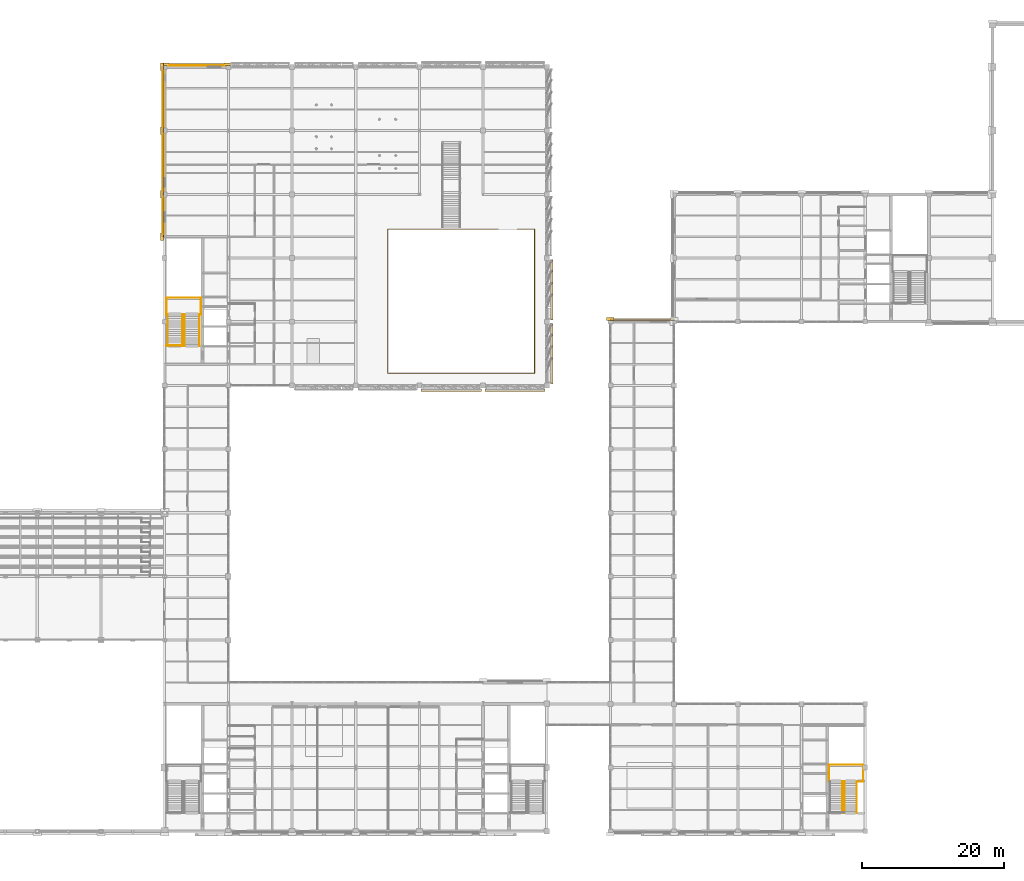
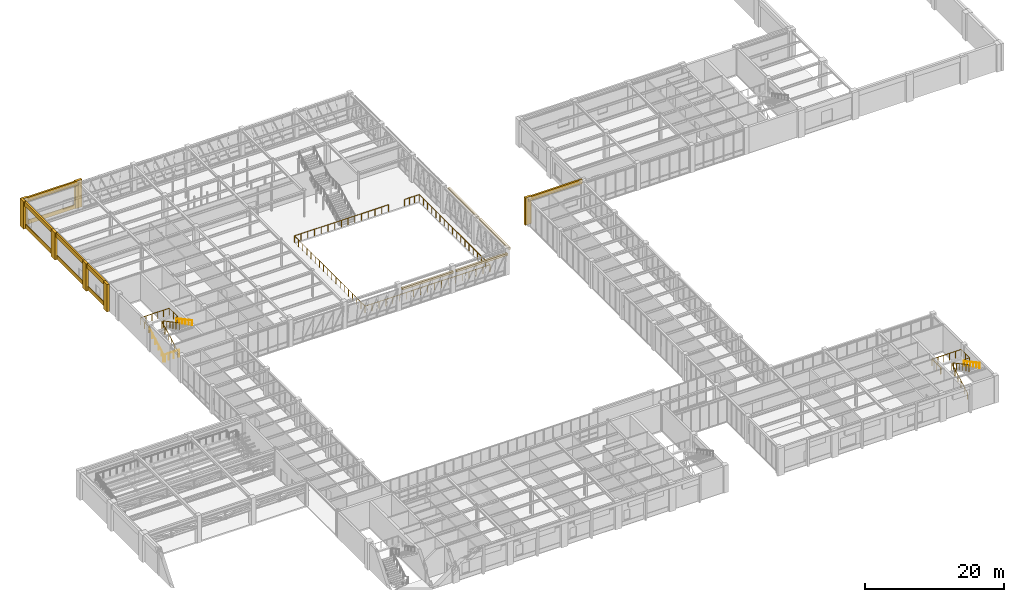
# One storey, part 90 of 92: 20 coverings, 9 railings.
"""IFC4 building model written with IfcOpenShell, lengths in metres."""

import ifcopenshell
import ifcopenshell.guid

model = None  # the IFC model being written
_history = None  # IfcOwnerHistory: only IFC2X3 demands one
_inside = {}  # id of a spatial element -> (the spatial element, [elements in it])
_under = {}  # id of a project, library or spatial element -> (it, [spatial elements below it])
_declared = {}  # id of a project -> (the project, [libraries it declares])
_typed = {}  # id of a type object -> (the type object, [elements of that type])
_made_of = {}  # id of a material, layer set ... -> (it, [elements and type objects made of it])


def new_model(schema):
    """Start an empty IFC model of exactly this schema.

    Asked for "IFC4X3", IfcOpenShell would pick the latest addendum, in which some entities
    have other attributes; the version numbers below select the first issue.
    IFC2X3 requires an IfcOwnerHistory on every rooted entity: one is made here for all.
    """
    global model, _history
    if schema == "IFC4X3":
        model = ifcopenshell.file(schema_version=(4, 3, 0, 0))
    else:
        model = ifcopenshell.file(schema=schema)
    _inside.clear()
    _under.clear()
    _declared.clear()
    _typed.clear()
    _made_of.clear()
    _history = None
    if model.schema == "IFC2X3":
        org = make("IfcOrganization", Name="unknown")
        user = make(
            "IfcPersonAndOrganization",
            ThePerson=make("IfcPerson", FamilyName="unknown"),
            TheOrganization=org,
        )
        app = make(
            "IfcApplication",
            ApplicationDeveloper=org,
            Version="unknown",
            ApplicationFullName="unknown",
            ApplicationIdentifier="unknown",
        )
        _history = make(
            "IfcOwnerHistory",
            OwningUser=user,
            OwningApplication=app,
            ChangeAction="ADDED",
            CreationDate=0,
        )
    return model


def make(cls, **values):
    """One entity of the class cls with the attributes given. An attribute that is None is left unset."""
    return model.create_entity(
        cls, **{name: value for name, value in values.items() if value is not None}
    )


def rooted(cls, **values):
    """An entity with a GlobalId (a new one), such as an element, a storey or a relation."""
    return make(cls, GlobalId=ifcopenshell.guid.new(), OwnerHistory=_history, **values)


def si_unit(unit_type, name, prefix=None):
    """IfcSIUnit, for example si_unit("LENGTHUNIT", "METRE", prefix="MILLI")."""
    return make("IfcSIUnit", UnitType=unit_type, Prefix=prefix, Name=name)


def assignment(units):
    """IfcUnitAssignment: the units of a project."""
    return None if units is None else make("IfcUnitAssignment", Units=units)


def point(xyz):
    """IfcCartesianPoint."""
    return None if xyz is None else make("IfcCartesianPoint", Coordinates=xyz)


def direction(xyz):
    """IfcDirection."""
    return None if xyz is None else make("IfcDirection", DirectionRatios=xyz)


def frame(location, z_axis=None, x_axis=None):
    """IfcAxis2Placement3D, a coordinate frame: its origin and axes. An axis left out is left unset."""
    return make(
        "IfcAxis2Placement3D",
        Location=point(location),
        Axis=direction(z_axis),
        RefDirection=direction(x_axis),
    )


def frame_2d(location, x_axis=None):
    """IfcAxis2Placement2D, a coordinate frame in the plane: its origin and x axis."""
    return make(
        "IfcAxis2Placement2D", Location=point(location), RefDirection=direction(x_axis)
    )


def origin():
    """The frame at (0, 0, 0) with its axes left unset."""
    return frame((0.0, 0.0, 0.0))


def origin_2d():
    """The frame at (0, 0) in the plane with its x axis left unset."""
    return frame_2d((0.0, 0.0))


def place(relative_to, where):
    """IfcLocalPlacement: puts the frame where relative to a parent placement (None: the world)."""
    return make(
        "IfcLocalPlacement", PlacementRelTo=relative_to, RelativePlacement=where
    )


def context(
    kind, dimensions, precision=None, world=None, true_north=None, identifier=None
):
    """IfcGeometricRepresentationContext, for example the 3D "Model" context."""
    return make(
        "IfcGeometricRepresentationContext",
        ContextIdentifier=identifier,
        ContextType=kind,
        CoordinateSpaceDimension=dimensions,
        Precision=precision,
        WorldCoordinateSystem=world,
        TrueNorth=true_north,
    )


def subcontext(parent, identifier, kind, view, scale=None):
    """IfcGeometricRepresentationSubContext, for example "Body" below "Model"."""
    return make(
        "IfcGeometricRepresentationSubContext",
        ContextIdentifier=identifier,
        ContextType=kind,
        ParentContext=parent,
        TargetScale=scale,
        TargetView=view,
    )


def project(units=None, contexts=None):
    """IfcProject with its units and contexts."""
    return rooted(
        "IfcProject",
        Name="project",
        RepresentationContexts=contexts,
        UnitsInContext=assignment(units),
    )


def spatial(cls, under=None, at=None, **own):
    """A site, building, storey or space (cls), placed at a placement, below another one or the project."""
    s = rooted(cls, ObjectPlacement=at, **own)
    if under is not None:
        _under.setdefault(under.id(), (under, []))[1].append(s)
    return s


def profile(cls, at=None, kind="AREA", **sizes):
    """A parametric profile (cls). Its sizes go by their IFC names, for example OverallWidth=200.0."""
    return make(cls, ProfileType=kind, Position=at, **sizes)


def rectangle(**sizes):
    """IfcRectangleProfileDef."""
    return profile("IfcRectangleProfileDef", **sizes)


def circle(**sizes):
    """IfcCircleProfileDef."""
    return profile("IfcCircleProfileDef", **sizes)


def extrude(swept, where, along, depth):
    """IfcExtrudedAreaSolid: the profile swept, set in the frame where, extruded along a direction by depth."""
    return make(
        "IfcExtrudedAreaSolid",
        SweptArea=swept,
        Position=where,
        ExtrudedDirection=direction(along),
        Depth=depth,
    )


def shape(context_of_items, identifier, shape_type, items):
    """IfcShapeRepresentation: the items that make up one representation, for example the "Body"."""
    return make(
        "IfcShapeRepresentation",
        ContextOfItems=context_of_items,
        RepresentationIdentifier=identifier,
        RepresentationType=shape_type,
        Items=items,
    )


def material(Name=None, Category=None):
    """IfcMaterial."""
    return make("IfcMaterial", Name=Name, Category=Category)


def layer(
    of_material, thickness, ventilated=None, Name=None, Category=None, Priority=None
):
    """IfcMaterialLayer: one layer of a wall or slab, of a material (None: an air gap)."""
    return make(
        "IfcMaterialLayer",
        Material=of_material,
        LayerThickness=thickness,
        IsVentilated=ventilated,
        Name=Name,
        Category=Category,
        Priority=Priority,
    )


def layer_set(layers, Name=None):
    """IfcMaterialLayerSet."""
    return make("IfcMaterialLayerSet", MaterialLayers=layers, LayerSetName=Name)


def made_of(thing, what):
    """Note that an element or type object is made of a material, layer set ...; save() writes the relation."""
    if what is not None:
        _made_of.setdefault(what.id(), (what, []))[1].append(thing)
    return thing


def type_object(cls, material=None, **own):
    """A type object (cls), such as IfcWallType, which elements share."""
    return made_of(rooted(cls, **own), material)


def element(
    cls,
    number,
    at=None,
    inside=None,
    cuts=None,
    type_object=None,
    material=None,
    context=None,
    identifier="Body",
    shape_type=None,
    held_by="IfcProductDefinitionShape",
    body=None,
    shapes=None,
    **own,
):
    """One element of the class cls, such as IfcWall. Its Tag is "e" and its number.

    at: its placement. inside: the storey or other place that contains it. cuts: it is an
    opening in that element (IfcRelVoidsElement). A single representation is given by context,
    identifier, shape_type and body (its items); several are given by shapes. held_by: the class
    of the entity that holds the representations. save() writes the other relations.
    """
    e = rooted(cls, Tag="e%d" % number, ObjectPlacement=at, **own)
    if body is not None:
        shapes = [shape(context, identifier, shape_type, body)]
    if shapes is not None:
        e.Representation = make(held_by, Representations=shapes)
    if inside is not None:
        _inside.setdefault(inside.id(), (inside, []))[1].append(e)
    if cuts is not None:
        rooted(
            "IfcRelVoidsElement", RelatingBuildingElement=cuts, RelatedOpeningElement=e
        )
    if type_object is not None:
        _typed.setdefault(type_object.id(), (type_object, []))[1].append(e)
    return made_of(e, material)


def aggregate(whole, parts):
    """IfcRelAggregates: a whole, such as a stair, and the parts it consists of."""
    return rooted("IfcRelAggregates", RelatingObject=whole, RelatedObjects=parts)


def save(model, path):
    """Write the relations noted so far, then the file.

    IfcRelAggregates (storeys below a building ...), IfcRelContainedInSpatialStructure (elements
    in a storey), IfcRelDefinesByType, IfcRelAssociatesMaterial and IfcRelDeclares: one each for
    every whole, place, type object, material and project.
    """
    for whole, parts in _under.values():
        aggregate(whole, parts)
    for where, things in _inside.values():
        rooted(
            "IfcRelContainedInSpatialStructure",
            RelatedElements=things,
            RelatingStructure=where,
        )
    for kind, things in _typed.values():
        rooted("IfcRelDefinesByType", RelatedObjects=things, RelatingType=kind)
    for what, things in _made_of.values():
        rooted("IfcRelAssociatesMaterial", RelatedObjects=things, RelatingMaterial=what)
    for by, libraries in _declared.values():
        rooted("IfcRelDeclares", RelatingContext=by, RelatedDefinitions=libraries)
    model.write(path)


model = new_model("IFC4")

# Units and contexts
model_context = context("Model", 3, precision=1e-05, world=origin(), true_north=direction((0.0, 1.0)))
body_context = subcontext(model_context, "Body", "Model", "MODEL_VIEW")
ifc_project = project(units=[si_unit("LENGTHUNIT", "METRE"), si_unit("AREAUNIT", "SQUARE_METRE"), si_unit("VOLUMEUNIT", "CUBIC_METRE"), si_unit("PLANEANGLEUNIT", "RADIAN"), si_unit("MASSUNIT", "GRAM", prefix="KILO")], contexts=[model_context])

# Site, building, storey
site_placement = place(None, origin())
site = spatial("IfcSite", under=ifc_project, at=site_placement, CompositionType="ELEMENT")
building_placement = place(site_placement, origin())
building = spatial("IfcBuilding", under=site, at=building_placement, Name="Lykobir Media Centre", CompositionType="ELEMENT")
storey_placement = place(building_placement, frame((0.0, 0.0, 5.39990234375)))
storey = spatial("IfcBuildingStorey", under=building, at=storey_placement, Name="L01", CompositionType="ELEMENT", Elevation=5.39990234375)

# Coverings
ifc_material_1 = material(Name="Honed Travertine Stone", Category="masonry")
ifc_layer = layer(ifc_material_1, 0.050048828125, Name="Honed Travertine Stone")
ifc_layer_set = layer_set([ifc_layer], Name="Honed Travertine Stone")
covering_type = type_object("IfcCoveringType", Name="CLD-TRAV", PredefinedType="CLADDING", material=ifc_layer_set)
covering_1_placement = place(storey_placement, frame((90.0, 72.3798828125, 0.0), z_axis=(0.0, 0.0, 1.0), x_axis=(-1.0, 0.0, 0.0)))
element("IfcCovering", 1, at=covering_1_placement, inside=storey, type_object=covering_type, Name="Travertine column pier 214", PredefinedType="CLADDING", context=body_context, shape_type="SweptSolid", body=[
    extrude(rectangle(XDim=1.06005859375, YDim=0.39990234375, at=origin_2d()), origin(), (0.0, 0.0, 1.0), 4.800048828125),
])
covering_2_placement = place(storey_placement, frame((94.5, 72.300048828125, 4.0400390625), z_axis=(0.0, 0.0, 1.0), x_axis=(-1.0, 0.0, 0.0)))
element("IfcCovering", 2, at=covering_2_placement, inside=storey, type_object=covering_type, Name="Travertine spandrel stringcourse 215", PredefinedType="CLADDING", context=body_context, shape_type="SweptSolid", body=[
    extrude(rectangle(XDim=9.0, YDim=0.280029296875, at=origin_2d()), origin(), (0.0, 0.0, 1.0), 0.760009765625),
])
for number, where, z_axis, x_axis, name in (
    (3, (67.5, 62.3154296875, 3.88525390625), (0.0, 0.0, 1.0), (1.0, 0.0, 0.0), "V6 diagonal crease rib 221"),
    (4, (76.5, 62.3154296875, 3.88525390625), (0.0, 0.0, 1.0), (1.0, 0.0, 0.0), "V6 diagonal crease rib 222"),
    (5, (81.6845703125, 67.5, 3.88525390625), (0.0, 0.0, 1.0), (0.0, 1.0, 0.0), "V6 diagonal crease rib 223"),
    (6, (81.6845703125, 76.5, 3.88525390625), (0.0, 0.0, 1.0), (0.0, 1.0, 0.0), "V6 diagonal crease rib 224"),
):
    element("IfcCovering", number, at=place(storey_placement, frame(where, z_axis=z_axis, x_axis=x_axis)), inside=storey, type_object=covering_type, Name=name, PredefinedType="CLADDING", context=body_context, shape_type="SweptSolid", body=[
        extrude(rectangle(XDim=8.530029296875, YDim=0.360107421875, at=origin_2d()), origin(), (0.0, 0.0, 1.0), 0.340087890625),
    ])
for number, where, z_axis, x_axis, name in (
    (7, (36.0, 108.3798828125, 0.0), (0.0, 0.0, 1.0), (-1.0, 0.0, 0.0), "Travertine column pier 225"),
    (8, (27.0, 108.3798828125, 0.0), (0.0, 0.0, 1.0), (-1.0, 0.0, 0.0), "Travertine column pier 226"),
):
    element("IfcCovering", number, at=place(storey_placement, frame(where, z_axis=z_axis, x_axis=x_axis)), inside=storey, type_object=covering_type, Name=name, PredefinedType="CLADDING", context=body_context, shape_type="SweptSolid", body=[
        extrude(rectangle(XDim=1.06005859375, YDim=0.39990234375, at=origin_2d()), origin(), (0.0, 0.0, 1.0), 4.800048828125),
    ])
covering_3_placement = place(storey_placement, frame((31.5, 108.300048828125, 4.0400390625), z_axis=(0.0, 0.0, 1.0), x_axis=(-1.0, 0.0, 0.0)))
element("IfcCovering", 9, at=covering_3_placement, inside=storey, type_object=covering_type, Name="Travertine spandrel stringcourse 227", PredefinedType="CLADDING", context=body_context, shape_type="SweptSolid", body=[
    extrude(rectangle(XDim=9.0, YDim=0.280029296875, at=origin_2d()), origin(), (0.0, 0.0, 1.0), 0.760009765625),
])
covering_4_placement = place(storey_placement, frame((31.5, 108.216064453125, 0.080078125), z_axis=(0.0, 0.0, 1.0), x_axis=(-1.0, 0.0, 0.0)))
element("IfcCovering", 10, at=covering_4_placement, inside=storey, type_object=covering_type, Name="Facade spandrel apron 228", PredefinedType="CLADDING", context=body_context, shape_type="SweptSolid", body=[
    extrude(rectangle(XDim=7.929931640625, YDim=0.110107421875, at=origin_2d()), origin(), (0.0, 0.0, 1.0), 0.719970703125),
])
for number, where, z_axis, x_axis, name in (
    (11, (26.6201171875, 90.0, 0.0), (0.0, 0.0, 1.0), (0.0, -1.0, 0.0), "Travertine column pier 231"),
    (12, (26.6201171875, 84.0, 0.0), (0.0, 0.0, 1.0), (0.0, -1.0, 0.0), "Travertine column pier 232"),
):
    element("IfcCovering", number, at=place(storey_placement, frame(where, z_axis=z_axis, x_axis=x_axis)), inside=storey, type_object=covering_type, Name=name, PredefinedType="CLADDING", context=body_context, shape_type="SweptSolid", body=[
        extrude(rectangle(XDim=1.06005859375, YDim=0.39990234375, at=origin_2d()), origin(), (0.0, 0.0, 1.0), 4.800048828125),
    ])
covering_5_placement = place(storey_placement, frame((26.699951171875, 87.0, 4.0400390625), z_axis=(0.0, 0.0, 1.0), x_axis=(0.0, -1.0, 0.0)))
element("IfcCovering", 13, at=covering_5_placement, inside=storey, type_object=covering_type, Name="Travertine spandrel stringcourse 233", PredefinedType="CLADDING", context=body_context, shape_type="SweptSolid", body=[
    extrude(rectangle(XDim=6.0, YDim=0.280029296875, at=origin_2d()), origin(), (0.0, 0.0, 1.0), 0.760009765625),
])
covering_6_placement = place(storey_placement, frame((26.783935546875, 87.0, 0.080078125), z_axis=(0.0, 0.0, 1.0), x_axis=(0.0, -1.0, 0.0)))
element("IfcCovering", 14, at=covering_6_placement, inside=storey, type_object=covering_type, Name="Facade spandrel apron 234", PredefinedType="CLADDING", context=body_context, shape_type="SweptSolid", body=[
    extrude(rectangle(XDim=5.340087890625, YDim=0.110107421875, at=origin_2d()), origin(), (0.0, 0.0, 1.0), 0.719970703125),
])
covering_7_placement = place(storey_placement, frame((26.6201171875, 99.0, 0.0), z_axis=(0.0, 0.0, 1.0), x_axis=(0.0, -1.0, 0.0)))
element("IfcCovering", 15, at=covering_7_placement, inside=storey, type_object=covering_type, Name="Travertine column pier 235", PredefinedType="CLADDING", context=body_context, shape_type="SweptSolid", body=[
    extrude(rectangle(XDim=1.06005859375, YDim=0.39990234375, at=origin_2d()), origin(), (0.0, 0.0, 1.0), 4.800048828125),
])
covering_8_placement = place(storey_placement, frame((26.699951171875, 94.5, 4.0400390625), z_axis=(0.0, 0.0, 1.0), x_axis=(0.0, -1.0, 0.0)))
element("IfcCovering", 16, at=covering_8_placement, inside=storey, type_object=covering_type, Name="Travertine spandrel stringcourse 236", PredefinedType="CLADDING", context=body_context, shape_type="SweptSolid", body=[
    extrude(rectangle(XDim=9.0, YDim=0.280029296875, at=origin_2d()), origin(), (0.0, 0.0, 1.0), 0.760009765625),
])
covering_9_placement = place(storey_placement, frame((26.783935546875, 94.5, 0.080078125), z_axis=(0.0, 0.0, 1.0), x_axis=(0.0, -1.0, 0.0)))
element("IfcCovering", 17, at=covering_9_placement, inside=storey, type_object=covering_type, Name="Facade spandrel apron 237", PredefinedType="CLADDING", context=body_context, shape_type="SweptSolid", body=[
    extrude(rectangle(XDim=7.929931640625, YDim=0.110107421875, at=origin_2d()), origin(), (0.0, 0.0, 1.0), 0.719970703125),
])
covering_10_placement = place(storey_placement, frame((26.6201171875, 108.0, 0.0), z_axis=(0.0, 0.0, 1.0), x_axis=(0.0, -1.0, 0.0)))
element("IfcCovering", 18, at=covering_10_placement, inside=storey, type_object=covering_type, Name="Travertine column pier 238", PredefinedType="CLADDING", context=body_context, shape_type="SweptSolid", body=[
    extrude(rectangle(XDim=1.06005859375, YDim=0.39990234375, at=origin_2d()), origin(), (0.0, 0.0, 1.0), 4.800048828125),
])
covering_11_placement = place(storey_placement, frame((26.699951171875, 103.5, 4.0400390625), z_axis=(0.0, 0.0, 1.0), x_axis=(0.0, -1.0, 0.0)))
element("IfcCovering", 19, at=covering_11_placement, inside=storey, type_object=covering_type, Name="Travertine spandrel stringcourse 239", PredefinedType="CLADDING", context=body_context, shape_type="SweptSolid", body=[
    extrude(rectangle(XDim=9.0, YDim=0.280029296875, at=origin_2d()), origin(), (0.0, 0.0, 1.0), 0.760009765625),
])
covering_12_placement = place(storey_placement, frame((26.783935546875, 103.5, 0.080078125), z_axis=(0.0, 0.0, 1.0), x_axis=(0.0, -1.0, 0.0)))
element("IfcCovering", 20, at=covering_12_placement, inside=storey, type_object=covering_type, Name="Facade spandrel apron 240", PredefinedType="CLADDING", context=body_context, shape_type="SweptSolid", body=[
    extrude(rectangle(XDim=7.929931640625, YDim=0.110107421875, at=origin_2d()), origin(), (0.0, 0.0, 1.0), 0.719970703125),
])

# Railings
ifc_material_2 = material(Name="Steel S355", Category="steel")
railing_type_1 = type_object("IfcRailingType", Name="GR-1200", PredefinedType="BALUSTRADE", material=ifc_material_2)
railing_1_placement = place(storey_placement, frame((27.27001953125, 68.6298828125, 0.0)))
element("IfcRailing", 21, at=railing_1_placement, inside=storey, type_object=railing_type_1, Name="ST-3 L01 arrival well guard", PredefinedType="BALUSTRADE", context=body_context, shape_type="SweptSolid", body=[
    extrude(circle(Radius=0.02392578125, at=origin_2d()), frame((0.0, 0.0, 1.17578125), z_axis=(1.0, 0.0, 0.0), x_axis=(0.0, 1.0, 0.0)), (0.0, 0.0, 1.0), 2.5400390625),
    extrude(circle(Radius=0.02099609375, at=origin_2d()), origin(), (0.0, 0.0, 1.0), 1.15185546875),
    extrude(circle(Radius=0.02099609375, at=origin_2d()), frame((0.8466796875, 0.0, 0.0)), (0.0, 0.0, 1.0), 1.15185546875),
    extrude(circle(Radius=0.02099609375, at=origin_2d()), frame((1.693359375, 0.0, 0.0)), (0.0, 0.0, 1.0), 1.15185546875),
    extrude(circle(Radius=0.02099609375, at=origin_2d()), frame((2.5400390625, 0.0, 0.0)), (0.0, 0.0, 1.0), 1.15185546875),
])
railing_2_placement = place(storey_placement, frame((29.530029296875, 68.530029296875, 0.0)))
element("IfcRailing", 22, at=railing_2_placement, inside=storey, type_object=railing_type_1, Name="ST-3 L01 inner well and slot guard", PredefinedType="BALUSTRADE", context=body_context, shape_type="SweptSolid", body=[
    extrude(circle(Radius=0.02392578125, at=origin_2d()), frame((0.0, 0.0, 1.17578125), z_axis=(0.0, 0.882341014787, 0.470610596591), x_axis=(-1.0, 0.0, 0.0)), (0.0, 0.0, 1.0), 5.10009765625),
    extrude(circle(Radius=0.02392578125, at=origin_2d()), frame((0.0, 4.5, 3.576171875), z_axis=(1.0, 0.0, 0.0), x_axis=(0.0, 1.0, 0.0)), (0.0, 0.0, 1.0), 0.280029296875),
    extrude(circle(Radius=0.02392578125, at=origin_2d()), frame((0.280029296875, 4.5, 3.576171875), z_axis=(0.0, -0.882360891967, 0.470573327259), x_axis=(1.0, 0.0, 0.0)), (0.0, 0.0, 1.0), 5.099853515625),
    extrude(circle(Radius=0.02099609375, at=origin_2d()), origin(), (0.0, 0.0, 1.0), 1.15185546875),
    extrude(circle(Radius=0.02099609375, at=origin_2d()), frame((0.0, 0.89990234375, 0.47998046875)), (0.0, 0.0, 1.0), 1.15185546875),
    extrude(circle(Radius=0.02099609375, at=origin_2d()), frame((0.0, 1.800048828125, 0.9599609375)), (0.0, 0.0, 1.0), 1.15185546875),
    extrude(circle(Radius=0.02099609375, at=origin_2d()), frame((0.0, 2.699951171875, 1.440185546875)), (0.0, 0.0, 1.0), 1.15185546875),
    extrude(circle(Radius=0.02099609375, at=origin_2d()), frame((0.0, 3.60009765625, 1.920166015625)), (0.0, 0.0, 1.0), 1.15185546875),
    extrude(circle(Radius=0.02099609375, at=origin_2d()), frame((0.0, 4.5, 2.400146484375)), (0.0, 0.0, 1.0), 1.15185546875),
    extrude(circle(Radius=0.02099609375, at=origin_2d()), frame((0.280029296875, 4.5, 2.400146484375)), (0.0, 0.0, 1.0), 1.15185546875),
    extrude(circle(Radius=0.02099609375, at=origin_2d()), frame((0.280029296875, 3.60009765625, 2.880126953125)), (0.0, 0.0, 1.0), 1.15185546875),
    extrude(circle(Radius=0.02099609375, at=origin_2d()), frame((0.280029296875, 2.699951171875, 3.360107421875)), (0.0, 0.0, 1.0), 1.15185546875),
    extrude(circle(Radius=0.02099609375, at=origin_2d()), frame((0.280029296875, 1.800048828125, 3.840087890625)), (0.0, 0.0, 1.0), 1.15185546875),
    extrude(circle(Radius=0.02099609375, at=origin_2d()), frame((0.280029296875, 0.89990234375, 4.320068359375)), (0.0, 0.0, 1.0), 1.15185546875),
    extrude(circle(Radius=0.02099609375, at=origin_2d()), frame((0.280029296875, 0.0, 4.800048828125)), (0.0, 0.0, 1.0), 1.15185546875),
])
railing_3_placement = place(storey_placement, frame((27.389892578125, 72.989990234375, 2.400146484375)))
element("IfcRailing", 23, at=railing_3_placement, inside=storey, type_object=railing_type_1, Name="ST-3 L01 half-landing perimeter guard", PredefinedType="BALUSTRADE", context=body_context, shape_type="SweptSolid", body=[
    extrude(circle(Radius=0.02392578125, at=origin_2d()), frame((0.0, 0.0, 1.17578125), z_axis=(-1.0, 0.0, 0.0), x_axis=(0.0, -1.0, 0.0)), (0.0, 0.0, 1.0), 0.10986328125),
    extrude(circle(Radius=0.02392578125, at=origin_2d()), frame((-0.10986328125, 0.0, 1.17578125), z_axis=(0.0, 1.0, 0.0), x_axis=(-1.0, 0.0, 0.0)), (0.0, 0.0, 1.0), 2.39990234375),
    extrude(circle(Radius=0.02392578125, at=origin_2d()), frame((-0.10986328125, 2.39990234375, 1.17578125), z_axis=(1.0, 0.0, 0.0), x_axis=(0.0, 1.0, 0.0)), (0.0, 0.0, 1.0), 4.840087890625),
    extrude(circle(Radius=0.02392578125, at=origin_2d()), frame((4.730224609375, 2.39990234375, 1.17578125), z_axis=(0.0, -1.0, 0.0), x_axis=(1.0, 0.0, 0.0)), (0.0, 0.0, 1.0), 2.39990234375),
    extrude(circle(Radius=0.02392578125, at=origin_2d()), frame((4.730224609375, 0.0, 1.17578125), z_axis=(-1.0, 0.0, 0.0), x_axis=(0.0, -1.0, 0.0)), (0.0, 0.0, 1.0), 0.170166015625),
    extrude(circle(Radius=0.02099609375, at=origin_2d()), origin(), (0.0, 0.0, 1.0), 1.15185546875),
    extrude(circle(Radius=0.02099609375, at=origin_2d()), frame((-0.10986328125, 0.0, 0.0)), (0.0, 0.0, 1.0), 1.15185546875),
    extrude(circle(Radius=0.02099609375, at=origin_2d()), frame((-0.10986328125, 1.199951171875, 0.0)), (0.0, 0.0, 1.0), 1.15185546875),
    extrude(circle(Radius=0.02099609375, at=origin_2d()), frame((-0.10986328125, 2.39990234375, 0.0)), (0.0, 0.0, 1.0), 1.15185546875),
    extrude(circle(Radius=0.02099609375, at=origin_2d()), frame((0.858154296875, 2.39990234375, 0.0)), (0.0, 0.0, 1.0), 1.15185546875),
    extrude(circle(Radius=0.02099609375, at=origin_2d()), frame((1.826171875, 2.39990234375, 0.0)), (0.0, 0.0, 1.0), 1.15185546875),
    extrude(circle(Radius=0.02099609375, at=origin_2d()), frame((2.794189453125, 2.39990234375, 0.0)), (0.0, 0.0, 1.0), 1.15185546875),
    extrude(circle(Radius=0.02099609375, at=origin_2d()), frame((3.76220703125, 2.39990234375, 0.0)), (0.0, 0.0, 1.0), 1.15185546875),
    extrude(circle(Radius=0.02099609375, at=origin_2d()), frame((4.730224609375, 2.39990234375, 0.0)), (0.0, 0.0, 1.0), 1.15185546875),
    extrude(circle(Radius=0.02099609375, at=origin_2d()), frame((4.730224609375, 1.199951171875, 0.0)), (0.0, 0.0, 1.0), 1.15185546875),
    extrude(circle(Radius=0.02099609375, at=origin_2d()), frame((4.730224609375, 0.0, 0.0)), (0.0, 0.0, 1.0), 1.15185546875),
    extrude(circle(Radius=0.02099609375, at=origin_2d()), frame((4.56005859375, 0.0, 0.0)), (0.0, 0.0, 1.0), 1.15185546875),
])
railing_4_placement = place(storey_placement, frame((122.780029296875, 2.530029296875, 0.0)))
element("IfcRailing", 24, at=railing_4_placement, inside=storey, type_object=railing_type_1, Name="ST-5 L01 inner well and slot guard", PredefinedType="BALUSTRADE", context=body_context, shape_type="SweptSolid", body=[
    extrude(circle(Radius=0.02392578125, at=origin_2d()), frame((0.0, 0.0, 1.17578125), z_axis=(0.0, 0.882341014787, 0.470610596591), x_axis=(-1.0, 0.0, 0.0)), (0.0, 0.0, 1.0), 5.10009765625),
    extrude(circle(Radius=0.02392578125, at=origin_2d()), frame((0.0, 4.5, 3.576171875), z_axis=(1.0, 0.0, 0.0), x_axis=(0.0, 1.0, 0.0)), (0.0, 0.0, 1.0), 0.280029296875),
    extrude(circle(Radius=0.02392578125, at=origin_2d()), frame((0.280029296875, 4.5, 3.576171875), z_axis=(0.0, -0.882360891967, 0.470573327259), x_axis=(1.0, 0.0, 0.0)), (0.0, 0.0, 1.0), 5.099853515625),
    extrude(circle(Radius=0.02099609375, at=origin_2d()), origin(), (0.0, 0.0, 1.0), 1.15185546875),
    extrude(circle(Radius=0.02099609375, at=origin_2d()), frame((0.0, 0.89990234375, 0.47998046875)), (0.0, 0.0, 1.0), 1.15185546875),
    extrude(circle(Radius=0.02099609375, at=origin_2d()), frame((0.0, 1.800048828125, 0.9599609375)), (0.0, 0.0, 1.0), 1.15185546875),
    extrude(circle(Radius=0.02099609375, at=origin_2d()), frame((0.0, 2.699951171875, 1.440185546875)), (0.0, 0.0, 1.0), 1.15185546875),
    extrude(circle(Radius=0.02099609375, at=origin_2d()), frame((0.0, 3.60009765625, 1.920166015625)), (0.0, 0.0, 1.0), 1.15185546875),
    extrude(circle(Radius=0.02099609375, at=origin_2d()), frame((0.0, 4.5, 2.400146484375)), (0.0, 0.0, 1.0), 1.15185546875),
    extrude(circle(Radius=0.02099609375, at=origin_2d()), frame((0.280029296875, 4.5, 2.400146484375)), (0.0, 0.0, 1.0), 1.15185546875),
    extrude(circle(Radius=0.02099609375, at=origin_2d()), frame((0.280029296875, 3.60009765625, 2.880126953125)), (0.0, 0.0, 1.0), 1.15185546875),
    extrude(circle(Radius=0.02099609375, at=origin_2d()), frame((0.280029296875, 2.699951171875, 3.360107421875)), (0.0, 0.0, 1.0), 1.15185546875),
    extrude(circle(Radius=0.02099609375, at=origin_2d()), frame((0.280029296875, 1.800048828125, 3.840087890625)), (0.0, 0.0, 1.0), 1.15185546875),
    extrude(circle(Radius=0.02099609375, at=origin_2d()), frame((0.280029296875, 0.89990234375, 4.320068359375)), (0.0, 0.0, 1.0), 1.15185546875),
    extrude(circle(Radius=0.02099609375, at=origin_2d()), frame((0.280029296875, 0.0, 4.800048828125)), (0.0, 0.0, 1.0), 1.15185546875),
])
railing_5_placement = place(storey_placement, frame((120.989990234375, 6.989990234375, 2.400146484375)))
element("IfcRailing", 25, at=railing_5_placement, inside=storey, type_object=railing_type_1, Name="ST-5 L01 half-landing perimeter guard", PredefinedType="BALUSTRADE", context=body_context, shape_type="SweptSolid", body=[
    extrude(circle(Radius=0.02392578125, at=origin_2d()), frame((0.0, 0.0, 1.17578125), z_axis=(-1.0, 0.0, 0.0), x_axis=(0.0, -1.0, 0.0)), (0.0, 0.0, 1.0), 0.110107421875),
    extrude(circle(Radius=0.02392578125, at=origin_2d()), frame((-0.110107421875, 0.0, 1.17578125), z_axis=(0.0, 1.0, 0.0), x_axis=(-1.0, 0.0, 0.0)), (0.0, 0.0, 1.0), 2.39990234375),
    extrude(circle(Radius=0.02392578125, at=origin_2d()), frame((-0.110107421875, 2.39990234375, 1.17578125), z_axis=(1.0, 0.0, 0.0), x_axis=(0.0, 1.0, 0.0)), (0.0, 0.0, 1.0), 4.840087890625),
    extrude(circle(Radius=0.02392578125, at=origin_2d()), frame((4.72998046875, 2.39990234375, 1.17578125), z_axis=(0.0, -1.0, 0.0), x_axis=(1.0, 0.0, 0.0)), (0.0, 0.0, 1.0), 2.39990234375),
    extrude(circle(Radius=0.02392578125, at=origin_2d()), frame((4.72998046875, 0.0, 1.17578125), z_axis=(-1.0, 0.0, 0.0), x_axis=(0.0, -1.0, 0.0)), (0.0, 0.0, 1.0), 0.869873046875),
    extrude(circle(Radius=0.02099609375, at=origin_2d()), origin(), (0.0, 0.0, 1.0), 1.15185546875),
    extrude(circle(Radius=0.02099609375, at=origin_2d()), frame((-0.110107421875, 0.0, 0.0)), (0.0, 0.0, 1.0), 1.15185546875),
    extrude(circle(Radius=0.02099609375, at=origin_2d()), frame((-0.110107421875, 1.199951171875, 0.0)), (0.0, 0.0, 1.0), 1.15185546875),
    extrude(circle(Radius=0.02099609375, at=origin_2d()), frame((-0.110107421875, 2.39990234375, 0.0)), (0.0, 0.0, 1.0), 1.15185546875),
    extrude(circle(Radius=0.02099609375, at=origin_2d()), frame((0.85791015625, 2.39990234375, 0.0)), (0.0, 0.0, 1.0), 1.15185546875),
    extrude(circle(Radius=0.02099609375, at=origin_2d()), frame((1.825927734375, 2.39990234375, 0.0)), (0.0, 0.0, 1.0), 1.15185546875),
    extrude(circle(Radius=0.02099609375, at=origin_2d()), frame((2.7939453125, 2.39990234375, 0.0)), (0.0, 0.0, 1.0), 1.15185546875),
    extrude(circle(Radius=0.02099609375, at=origin_2d()), frame((3.761962890625, 2.39990234375, 0.0)), (0.0, 0.0, 1.0), 1.15185546875),
    extrude(circle(Radius=0.02099609375, at=origin_2d()), frame((4.72998046875, 2.39990234375, 0.0)), (0.0, 0.0, 1.0), 1.15185546875),
    extrude(circle(Radius=0.02099609375, at=origin_2d()), frame((4.72998046875, 1.199951171875, 0.0)), (0.0, 0.0, 1.0), 1.15185546875),
    extrude(circle(Radius=0.02099609375, at=origin_2d()), frame((4.72998046875, 0.0, 0.0)), (0.0, 0.0, 1.0), 1.15185546875),
    extrude(circle(Radius=0.02099609375, at=origin_2d()), frame((3.860107421875, 0.0, 0.0)), (0.0, 0.0, 1.0), 1.15185546875),
])
railing_6_placement = place(storey_placement, frame((74.14990234375, 85.080078125, 0.0)))
element("IfcRailing", 26, at=railing_6_placement, inside=storey, type_object=railing_type_1, Name="L01 stepped valley atrium balustrade", PredefinedType="BALUSTRADE", context=body_context, shape_type="SweptSolid", body=[
    extrude(circle(Radius=0.02392578125, at=origin_2d()), frame((0.0, 0.0, 1.17578125), z_axis=(-1.0, 0.0, 0.0), x_axis=(0.0, -1.0, 0.0)), (0.0, 0.0, 1.0), 15.6298828125),
    extrude(circle(Radius=0.02392578125, at=origin_2d()), frame((-15.6298828125, 0.0, 1.17578125), z_axis=(0.0, -1.0, 0.0), x_axis=(1.0, 0.0, 0.0)), (0.0, 0.0, 1.0), 20.360107421875),
    extrude(circle(Radius=0.02392578125, at=origin_2d()), frame((-15.6298828125, -20.360107421875, 1.17578125), z_axis=(1.0, 0.0, 0.0), x_axis=(0.0, 1.0, 0.0)), (0.0, 0.0, 1.0), 20.760009765625),
    extrude(circle(Radius=0.02392578125, at=origin_2d()), frame((5.130126953125, -20.360107421875, 1.17578125), z_axis=(0.0, 1.0, 0.0), x_axis=(-1.0, 0.0, 0.0)), (0.0, 0.0, 1.0), 20.360107421875),
    extrude(circle(Radius=0.02392578125, at=origin_2d()), frame((5.130126953125, 0.0, 1.17578125), z_axis=(-1.0, 0.0, 0.0), x_axis=(0.0, -1.0, 0.0)), (0.0, 0.0, 1.0), 2.429931640625),
    extrude(circle(Radius=0.02099609375, at=origin_2d()), origin(), (0.0, 0.0, 1.0), 1.15185546875),
    extrude(circle(Radius=0.02099609375, at=origin_2d()), frame((-1.116455078125, 0.0, 0.0)), (0.0, 0.0, 1.0), 1.15185546875),
    extrude(circle(Radius=0.02099609375, at=origin_2d()), frame((-2.23291015625, 0.0, 0.0)), (0.0, 0.0, 1.0), 1.15185546875),
    extrude(circle(Radius=0.02099609375, at=origin_2d()), frame((-3.349365234375, 0.0, 0.0)), (0.0, 0.0, 1.0), 1.15185546875),
    extrude(circle(Radius=0.02099609375, at=origin_2d()), frame((-4.465576171875, 0.0, 0.0)), (0.0, 0.0, 1.0), 1.15185546875),
    extrude(circle(Radius=0.02099609375, at=origin_2d()), frame((-5.58203125, 0.0, 0.0)), (0.0, 0.0, 1.0), 1.15185546875),
    extrude(circle(Radius=0.02099609375, at=origin_2d()), frame((-6.698486328125, 0.0, 0.0)), (0.0, 0.0, 1.0), 1.15185546875),
    extrude(circle(Radius=0.02099609375, at=origin_2d()), frame((-7.81494140625, 0.0, 0.0)), (0.0, 0.0, 1.0), 1.15185546875),
    extrude(circle(Radius=0.02099609375, at=origin_2d()), frame((-8.931396484375, 0.0, 0.0)), (0.0, 0.0, 1.0), 1.15185546875),
    extrude(circle(Radius=0.02099609375, at=origin_2d()), frame((-10.0478515625, 0.0, 0.0)), (0.0, 0.0, 1.0), 1.15185546875),
    extrude(circle(Radius=0.02099609375, at=origin_2d()), frame((-11.164306640625, 0.0, 0.0)), (0.0, 0.0, 1.0), 1.15185546875),
    extrude(circle(Radius=0.02099609375, at=origin_2d()), frame((-12.280517578125, 0.0, 0.0)), (0.0, 0.0, 1.0), 1.15185546875),
    extrude(circle(Radius=0.02099609375, at=origin_2d()), frame((-13.39697265625, 0.0, 0.0)), (0.0, 0.0, 1.0), 1.15185546875),
    extrude(circle(Radius=0.02099609375, at=origin_2d()), frame((-14.513427734375, 0.0, 0.0)), (0.0, 0.0, 1.0), 1.15185546875),
    extrude(circle(Radius=0.02099609375, at=origin_2d()), frame((-15.6298828125, 0.0, 0.0)), (0.0, 0.0, 1.0), 1.15185546875),
    extrude(circle(Radius=0.02099609375, at=origin_2d()), frame((-15.6298828125, -1.19775390625, 0.0)), (0.0, 0.0, 1.0), 1.15185546875),
    extrude(circle(Radius=0.02099609375, at=origin_2d()), frame((-15.6298828125, -2.395263671875, 0.0)), (0.0, 0.0, 1.0), 1.15185546875),
    extrude(circle(Radius=0.02099609375, at=origin_2d()), frame((-15.6298828125, -3.593017578125, 0.0)), (0.0, 0.0, 1.0), 1.15185546875),
    extrude(circle(Radius=0.02099609375, at=origin_2d()), frame((-15.6298828125, -4.79052734375, 0.0)), (0.0, 0.0, 1.0), 1.15185546875),
    extrude(circle(Radius=0.02099609375, at=origin_2d()), frame((-15.6298828125, -5.98828125, 0.0)), (0.0, 0.0, 1.0), 1.15185546875),
    extrude(circle(Radius=0.02099609375, at=origin_2d()), frame((-15.6298828125, -7.18603515625, 0.0)), (0.0, 0.0, 1.0), 1.15185546875),
    extrude(circle(Radius=0.02099609375, at=origin_2d()), frame((-15.6298828125, -8.383544921875, 0.0)), (0.0, 0.0, 1.0), 1.15185546875),
    extrude(circle(Radius=0.02099609375, at=origin_2d()), frame((-15.6298828125, -9.581298828125, 0.0)), (0.0, 0.0, 1.0), 1.15185546875),
    extrude(circle(Radius=0.02099609375, at=origin_2d()), frame((-15.6298828125, -10.77880859375, 0.0)), (0.0, 0.0, 1.0), 1.15185546875),
    extrude(circle(Radius=0.02099609375, at=origin_2d()), frame((-15.6298828125, -11.9765625, 0.0)), (0.0, 0.0, 1.0), 1.15185546875),
    extrude(circle(Radius=0.02099609375, at=origin_2d()), frame((-15.6298828125, -13.174072265625, 0.0)), (0.0, 0.0, 1.0), 1.15185546875),
    extrude(circle(Radius=0.02099609375, at=origin_2d()), frame((-15.6298828125, -14.371826171875, 0.0)), (0.0, 0.0, 1.0), 1.15185546875),
    extrude(circle(Radius=0.02099609375, at=origin_2d()), frame((-15.6298828125, -15.569580078125, 0.0)), (0.0, 0.0, 1.0), 1.15185546875),
    extrude(circle(Radius=0.02099609375, at=origin_2d()), frame((-15.6298828125, -16.76708984375, 0.0)), (0.0, 0.0, 1.0), 1.15185546875),
    extrude(circle(Radius=0.02099609375, at=origin_2d()), frame((-15.6298828125, -17.96484375, 0.0)), (0.0, 0.0, 1.0), 1.15185546875),
    extrude(circle(Radius=0.02099609375, at=origin_2d()), frame((-15.6298828125, -19.162353515625, 0.0)), (0.0, 0.0, 1.0), 1.15185546875),
    extrude(circle(Radius=0.02099609375, at=origin_2d()), frame((-15.6298828125, -20.360107421875, 0.0)), (0.0, 0.0, 1.0), 1.15185546875),
    extrude(circle(Radius=0.02099609375, at=origin_2d()), frame((-14.4765625, -20.360107421875, 0.0)), (0.0, 0.0, 1.0), 1.15185546875),
    extrude(circle(Radius=0.02099609375, at=origin_2d()), frame((-13.3232421875, -20.360107421875, 0.0)), (0.0, 0.0, 1.0), 1.15185546875),
    extrude(circle(Radius=0.02099609375, at=origin_2d()), frame((-12.169921875, -20.360107421875, 0.0)), (0.0, 0.0, 1.0), 1.15185546875),
    extrude(circle(Radius=0.02099609375, at=origin_2d()), frame((-11.0166015625, -20.360107421875, 0.0)), (0.0, 0.0, 1.0), 1.15185546875),
    extrude(circle(Radius=0.02099609375, at=origin_2d()), frame((-9.86328125, -20.360107421875, 0.0)), (0.0, 0.0, 1.0), 1.15185546875),
    extrude(circle(Radius=0.02099609375, at=origin_2d()), frame((-8.7099609375, -20.360107421875, 0.0)), (0.0, 0.0, 1.0), 1.15185546875),
    extrude(circle(Radius=0.02099609375, at=origin_2d()), frame((-7.556640625, -20.360107421875, 0.0)), (0.0, 0.0, 1.0), 1.15185546875),
    extrude(circle(Radius=0.02099609375, at=origin_2d()), frame((-6.4033203125, -20.360107421875, 0.0)), (0.0, 0.0, 1.0), 1.15185546875),
    extrude(circle(Radius=0.02099609375, at=origin_2d()), frame((-5.25, -20.360107421875, 0.0)), (0.0, 0.0, 1.0), 1.15185546875),
    extrude(circle(Radius=0.02099609375, at=origin_2d()), frame((-4.096435546875, -20.360107421875, 0.0)), (0.0, 0.0, 1.0), 1.15185546875),
    extrude(circle(Radius=0.02099609375, at=origin_2d()), frame((-2.943115234375, -20.360107421875, 0.0)), (0.0, 0.0, 1.0), 1.15185546875),
    extrude(circle(Radius=0.02099609375, at=origin_2d()), frame((-1.789794921875, -20.360107421875, 0.0)), (0.0, 0.0, 1.0), 1.15185546875),
    extrude(circle(Radius=0.02099609375, at=origin_2d()), frame((-0.636474609375, -20.360107421875, 0.0)), (0.0, 0.0, 1.0), 1.15185546875),
    extrude(circle(Radius=0.02099609375, at=origin_2d()), frame((0.516845703125, -20.360107421875, 0.0)), (0.0, 0.0, 1.0), 1.15185546875),
    extrude(circle(Radius=0.02099609375, at=origin_2d()), frame((1.670166015625, -20.360107421875, 0.0)), (0.0, 0.0, 1.0), 1.15185546875),
    extrude(circle(Radius=0.02099609375, at=origin_2d()), frame((2.823486328125, -20.360107421875, 0.0)), (0.0, 0.0, 1.0), 1.15185546875),
    extrude(circle(Radius=0.02099609375, at=origin_2d()), frame((3.976806640625, -20.360107421875, 0.0)), (0.0, 0.0, 1.0), 1.15185546875),
    extrude(circle(Radius=0.02099609375, at=origin_2d()), frame((5.130126953125, -20.360107421875, 0.0)), (0.0, 0.0, 1.0), 1.15185546875),
    extrude(circle(Radius=0.02099609375, at=origin_2d()), frame((5.130126953125, -19.162353515625, 0.0)), (0.0, 0.0, 1.0), 1.15185546875),
    extrude(circle(Radius=0.02099609375, at=origin_2d()), frame((5.130126953125, -17.96484375, 0.0)), (0.0, 0.0, 1.0), 1.15185546875),
    extrude(circle(Radius=0.02099609375, at=origin_2d()), frame((5.130126953125, -16.76708984375, 0.0)), (0.0, 0.0, 1.0), 1.15185546875),
    extrude(circle(Radius=0.02099609375, at=origin_2d()), frame((5.130126953125, -15.569580078125, 0.0)), (0.0, 0.0, 1.0), 1.15185546875),
    extrude(circle(Radius=0.02099609375, at=origin_2d()), frame((5.130126953125, -14.371826171875, 0.0)), (0.0, 0.0, 1.0), 1.15185546875),
    extrude(circle(Radius=0.02099609375, at=origin_2d()), frame((5.130126953125, -13.174072265625, 0.0)), (0.0, 0.0, 1.0), 1.15185546875),
    extrude(circle(Radius=0.02099609375, at=origin_2d()), frame((5.130126953125, -11.9765625, 0.0)), (0.0, 0.0, 1.0), 1.15185546875),
    extrude(circle(Radius=0.02099609375, at=origin_2d()), frame((5.130126953125, -10.77880859375, 0.0)), (0.0, 0.0, 1.0), 1.15185546875),
    extrude(circle(Radius=0.02099609375, at=origin_2d()), frame((5.130126953125, -9.581298828125, 0.0)), (0.0, 0.0, 1.0), 1.15185546875),
    extrude(circle(Radius=0.02099609375, at=origin_2d()), frame((5.130126953125, -8.383544921875, 0.0)), (0.0, 0.0, 1.0), 1.15185546875),
    extrude(circle(Radius=0.02099609375, at=origin_2d()), frame((5.130126953125, -7.18603515625, 0.0)), (0.0, 0.0, 1.0), 1.15185546875),
    extrude(circle(Radius=0.02099609375, at=origin_2d()), frame((5.130126953125, -5.98828125, 0.0)), (0.0, 0.0, 1.0), 1.15185546875),
    extrude(circle(Radius=0.02099609375, at=origin_2d()), frame((5.130126953125, -4.79052734375, 0.0)), (0.0, 0.0, 1.0), 1.15185546875),
    extrude(circle(Radius=0.02099609375, at=origin_2d()), frame((5.130126953125, -3.593017578125, 0.0)), (0.0, 0.0, 1.0), 1.15185546875),
    extrude(circle(Radius=0.02099609375, at=origin_2d()), frame((5.130126953125, -2.395263671875, 0.0)), (0.0, 0.0, 1.0), 1.15185546875),
    extrude(circle(Radius=0.02099609375, at=origin_2d()), frame((5.130126953125, -1.19775390625, 0.0)), (0.0, 0.0, 1.0), 1.15185546875),
    extrude(circle(Radius=0.02099609375, at=origin_2d()), frame((5.130126953125, 0.0, 0.0)), (0.0, 0.0, 1.0), 1.15185546875),
    extrude(circle(Radius=0.02099609375, at=origin_2d()), frame((4.320068359375, 0.0, 0.0)), (0.0, 0.0, 1.0), 1.15185546875),
    extrude(circle(Radius=0.02099609375, at=origin_2d()), frame((3.51025390625, 0.0, 0.0)), (0.0, 0.0, 1.0), 1.15185546875),
    extrude(circle(Radius=0.02099609375, at=origin_2d()), frame((2.7001953125, 0.0, 0.0)), (0.0, 0.0, 1.0), 1.15185546875),
])
railing_type_2 = type_object("IfcRailingType", Name="HR-0900", PredefinedType="HANDRAIL", material=ifc_material_2)
railing_7_placement = place(storey_placement, frame((27.429931640625, 68.530029296875, 0.0)))
element("IfcRailing", 27, at=railing_7_placement, inside=storey, type_object=railing_type_2, Name="ST-3 L01 F1 wall handrail", PredefinedType="HANDRAIL", context=body_context, shape_type="SweptSolid", body=[
    extrude(circle(Radius=0.02392578125, at=origin_2d()), frame((0.0, 0.0, 0.8759765625), z_axis=(0.0, 0.882341014787, 0.470610596591), x_axis=(-1.0, 0.0, 0.0)), (0.0, 0.0, 1.0), 5.10009765625),
    extrude(circle(Radius=0.02099609375, at=origin_2d()), origin(), (0.0, 0.0, 1.0), 0.851806640625),
    extrude(circle(Radius=0.02099609375, at=origin_2d()), frame((0.0, 0.89990234375, 0.47998046875)), (0.0, 0.0, 1.0), 0.851806640625),
    extrude(circle(Radius=0.02099609375, at=origin_2d()), frame((0.0, 1.800048828125, 0.9599609375)), (0.0, 0.0, 1.0), 0.851806640625),
    extrude(circle(Radius=0.02099609375, at=origin_2d()), frame((0.0, 2.699951171875, 1.440185546875)), (0.0, 0.0, 1.0), 0.851806640625),
    extrude(circle(Radius=0.02099609375, at=origin_2d()), frame((0.0, 3.60009765625, 1.920166015625)), (0.0, 0.0, 1.0), 0.851806640625),
    extrude(circle(Radius=0.02099609375, at=origin_2d()), frame((0.0, 4.5, 2.400146484375)), (0.0, 0.0, 1.0), 0.851806640625),
])
for number, where, name in (
    (28, (31.909912109375, 73.030029296875, 2.400146484375), "ST-3 L01 F2 wall handrail"),
    (29, (124.81005859375, 7.030029296875, 2.400146484375), "ST-5 L01 F2 wall handrail"),
):
    element("IfcRailing", number, at=place(storey_placement, frame(where)), inside=storey, type_object=railing_type_2, Name=name, PredefinedType="HANDRAIL", context=body_context, shape_type="SweptSolid", body=[
        extrude(circle(Radius=0.02392578125, at=origin_2d()), frame((0.0, 0.0, 0.8759765625), z_axis=(0.0, -0.882360891967, 0.470573327259), x_axis=(1.0, 0.0, 0.0)), (0.0, 0.0, 1.0), 5.099853515625),
        extrude(circle(Radius=0.02099609375, at=origin_2d()), origin(), (0.0, 0.0, 1.0), 0.851806640625),
        extrude(circle(Radius=0.02099609375, at=origin_2d()), frame((0.0, -0.89990234375, 0.47998046875)), (0.0, 0.0, 1.0), 0.851806640625),
        extrude(circle(Radius=0.02099609375, at=origin_2d()), frame((0.0, -1.800048828125, 0.9599609375)), (0.0, 0.0, 1.0), 0.851806640625),
        extrude(circle(Radius=0.02099609375, at=origin_2d()), frame((0.0, -2.699951171875, 1.43994140625)), (0.0, 0.0, 1.0), 0.851806640625),
        extrude(circle(Radius=0.02099609375, at=origin_2d()), frame((0.0, -3.60009765625, 1.919921875)), (0.0, 0.0, 1.0), 0.851806640625),
        extrude(circle(Radius=0.02099609375, at=origin_2d()), frame((0.0, -4.5, 2.39990234375)), (0.0, 0.0, 1.0), 0.851806640625),
    ])

save(model, "model.ifc")
